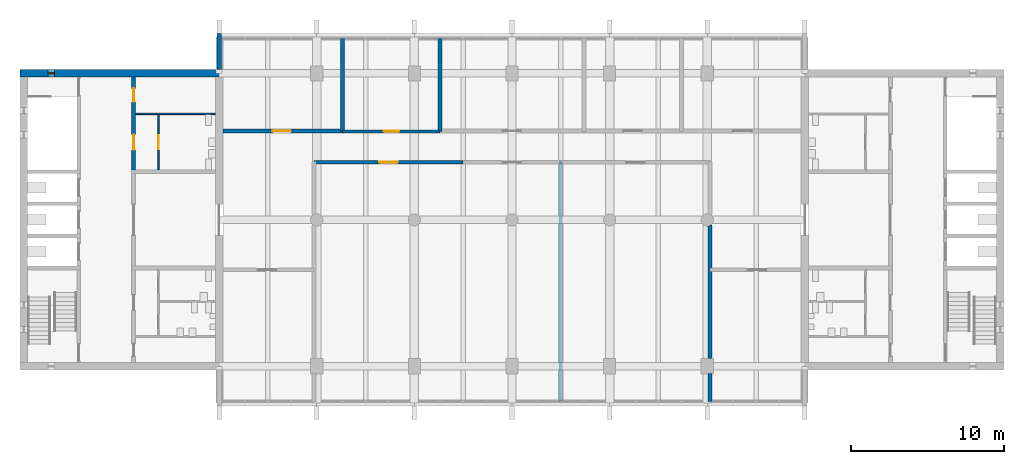
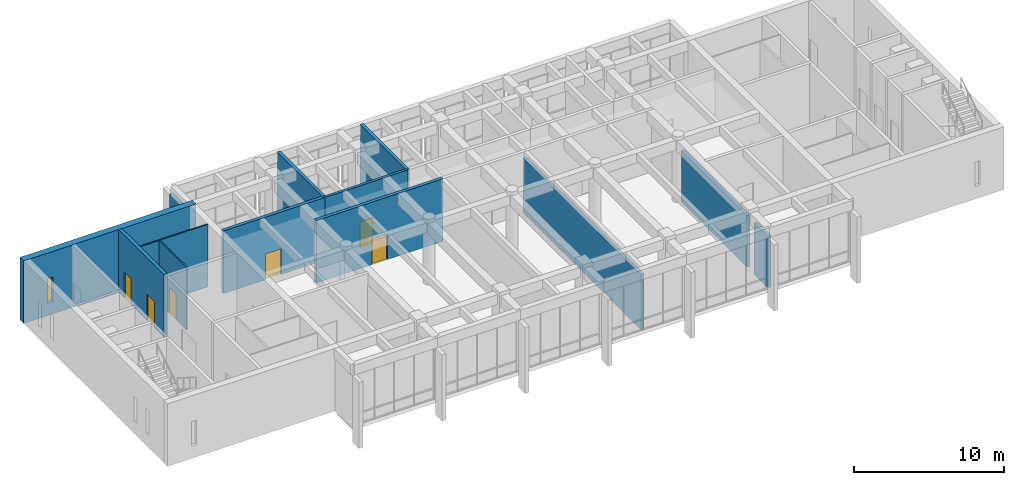
# One storey, part 4 of 10: 13 walls, 6 doors, 1 window, 7 openings.
"""IFC4 building model written with IfcOpenShell, lengths in metres."""

from ifc_helpers import new_model, si_unit, direction, frame, frame_2d, origin, place, context, subcontext, project, spatial, rectangle, extrude, material, layer, layer_set, type_object, element, fill, save


model = new_model("IFC4")

# Units and contexts
model_context = context("Model", 3, precision=1e-05, world=origin(), true_north=direction((0.0, 1.0)))
body_context = subcontext(model_context, "Body", "Model", "MODEL_VIEW")
ifc_project = project(units=[si_unit("LENGTHUNIT", "METRE"), si_unit("AREAUNIT", "SQUARE_METRE"), si_unit("VOLUMEUNIT", "CUBIC_METRE"), si_unit("PLANEANGLEUNIT", "RADIAN"), si_unit("MASSUNIT", "GRAM", prefix="KILO")], contexts=[model_context])

# Site, building, storey
site_placement = place(None, origin())
site = spatial("IfcSite", under=ifc_project, at=site_placement, CompositionType="ELEMENT")
building_placement = place(site_placement, origin())
building = spatial("IfcBuilding", under=site, at=building_placement, Name="Fogon Plaza Fire Station and Headquarters Tower", CompositionType="ELEMENT")
storey_placement = place(building_placement, frame((0.0, 0.0, 64.199951171875)))
storey = spatial("IfcBuildingStorey", under=building, at=storey_placement, Name="L16", CompositionType="ELEMENT", Elevation=64.199951171875)

# Wall, openings, doors
ifc_material_1 = material(Name="Concrete C40", Category="concrete")
ifc_layer_1 = layer(ifc_material_1, 0.25)
ifc_layer_set_1 = layer_set([ifc_layer_1], Name="Concrete C40")
wall_type_1 = type_object("IfcWallType", Name="Core Wall RC 250", PredefinedType="SOLIDWALL", material=ifc_layer_set_1)
wall_1_placement = place(storey_placement, frame((20.0, 46.47509765625, 0.0), z_axis=(0.0, 0.0, 1.0), x_axis=(0.0, 1.0, 0.0)))
wall_1 = element("IfcWall", 1, at=wall_1_placement, inside=storey, type_object=wall_type_1, Name="Core A shaft wall", PredefinedType="SOLIDWALL", context=body_context, shape_type="SweptSolid", body=[
    extrude(rectangle(XDim=6.074951171875, YDim=0.25, at=frame_2d((3.03759765625, 0.0))), origin(), (0.0, 0.0, 1.0), 5.10009765625),
])
opening_1_placement = place(wall_1_placement, frame((1.3125, 0.0, 0.0)))
opening_1 = element("IfcOpeningElement", 2, at=opening_1_placement, cuts=wall_1, Name="Opening L16-D13", PredefinedType="OPENING", context=body_context, shape_type="SweptSolid", body=[
    extrude(rectangle(XDim=1.0, YDim=2.10009765625, at=frame_2d((0.5, 1.050048828125))), frame((0.0, 0.135009765625, 0.0), z_axis=(0.0, -1.0, 0.0), x_axis=(1.0, 0.0, 0.0)), (0.0, 0.0, 1.0), 0.27001953125),
])
opening_2_placement = place(wall_1_placement, frame((4.449951171875, 0.0, 0.0)))
opening_2 = element("IfcOpeningElement", 3, at=opening_2_placement, cuts=wall_1, Name="Opening L16-D15", PredefinedType="OPENING", context=body_context, shape_type="SweptSolid", body=[
    extrude(rectangle(XDim=0.89990234375, YDim=2.10009765625, at=frame_2d((0.449951171875, 1.050048828125))), frame((0.0, 0.135009765625, 0.0), z_axis=(0.0, -1.0, 0.0), x_axis=(1.0, 0.0, 0.0)), (0.0, 0.0, 1.0), 0.27001953125),
])
ifc_material_2 = material(Name="Steel Fire Door Leaf", Category="steel")
door_type_1 = type_object("IfcDoorType", Name="Riser Single 900x2100", OperationType="SINGLE_SWING_LEFT", PredefinedType="DOOR", material=ifc_material_2)
door_1_placement = place(opening_2_placement, frame((0.89990234375, 0.0, 0.0), z_axis=(0.0, 0.0, 1.0), x_axis=(-1.0, 0.0, 0.0)))
door_1 = element("IfcDoor", 4, at=door_1_placement, inside=storey, type_object=door_type_1, Name="Riser room A door", OperationType="SINGLE_SWING_RIGHT", OverallHeight=2.10009765625, OverallWidth=0.89990234375, PredefinedType="DOOR", context=body_context, shape_type="SweptSolid", body=[
    extrude(rectangle(XDim=0.89990234375, YDim=2.10009765625, at=frame_2d((0.449951171875, 1.050048828125))), frame((0.0, 0.02490234375, 0.0), z_axis=(0.0, -1.0, 0.0), x_axis=(1.0, 0.0, 0.0)), (0.0, 0.0, 1.0), 0.050048828125),
])
fill(opening_2, door_1)
ifc_material_3 = material(Name="Timber fire door", Category="wood")
door_type_2 = type_object("IfcDoorType", Name="WC Lobby Single 1000x2100", OperationType="SINGLE_SWING_LEFT", PredefinedType="DOOR", material=ifc_material_3)
door_2_placement = place(opening_1_placement, frame((1.0, 0.0, 0.0), z_axis=(0.0, 0.0, 1.0), x_axis=(-1.0, 0.0, 0.0)))
door_2 = element("IfcDoor", 5, at=door_2_placement, inside=storey, type_object=door_type_2, Name="Women's WC lobby A door", OperationType="SINGLE_SWING_RIGHT", OverallHeight=2.10009765625, OverallWidth=1.0, PredefinedType="DOOR", context=body_context, shape_type="SweptSolid", body=[
    extrude(rectangle(XDim=1.0, YDim=2.10009765625, at=frame_2d((0.5, 1.050048828125))), frame((0.0, 0.02490234375, 0.0), z_axis=(0.0, -1.0, 0.0), x_axis=(1.0, 0.0, 0.0)), (0.0, 0.0, 1.0), 0.050048828125),
])
fill(opening_1, door_2)

# Wall
ifc_material_4 = material(Name="Concrete C40", Category="concrete")
ifc_layer_2 = layer(ifc_material_4, 0.300048828125)
ifc_layer_set_2 = layer_set([ifc_layer_2], Name="Concrete C40")
wall_type_2 = type_object("IfcWallType", Name="Fair-faced RC Return Panel 300", PredefinedType="SOLIDWALL", material=ifc_layer_set_2)
wall_2_placement = place(storey_placement, frame((25.60009765625, 53.050048828125, 0.0), z_axis=(0.0, 0.0, 1.0), x_axis=(0.0, 1.0, 0.0)))
element("IfcWall", 6, at=wall_2_placement, inside=storey, type_object=wall_type_2, Name="Bar end return WN L16", PredefinedType="SOLIDWALL", context=body_context, shape_type="SweptSolid", body=[
    extrude(rectangle(XDim=2.349853515625, YDim=0.300048828125, at=frame_2d((1.1748046875, 0.0))), origin(), (0.0, 0.0, 1.0), 4.300048828125),
])

# Wall, opening, door
ifc_material_5 = material(Name="Blockwork", Category="masonry")
ifc_layer_3 = layer(ifc_material_5, 0.10009765625)
ifc_layer_set_3 = layer_set([ifc_layer_3], Name="Blockwork")
wall_type_3 = type_object("IfcWallType", Name="Partition Blockwork 100", PredefinedType="PARTITIONING", material=ifc_layer_set_3)
wall_3_placement = place(storey_placement, frame((21.625, 46.47509765625, 0.0), z_axis=(0.0, 0.0, 1.0), x_axis=(0.0, 1.0, 0.0)))
wall_3 = element("IfcWall", 7, at=wall_3_placement, inside=storey, type_object=wall_type_3, Name="WC block partition", PredefinedType="PARTITIONING", context=body_context, shape_type="SweptSolid", body=[
    extrude(rectangle(XDim=3.625, YDim=0.10009765625, at=frame_2d((1.8125, 0.0))), origin(), (0.0, 0.0, 1.0), 5.10009765625),
])
opening_3_placement = place(wall_3_placement, frame((1.362548828125, 0.0, 0.0)))
opening_3 = element("IfcOpeningElement", 8, at=opening_3_placement, cuts=wall_3, Name="Opening L16-D14", PredefinedType="OPENING", context=body_context, shape_type="SweptSolid", body=[
    extrude(rectangle(XDim=0.89990234375, YDim=2.10009765625, at=frame_2d((0.449951171875, 1.050048828125))), frame((0.0, 0.06005859375, 0.0), z_axis=(0.0, -1.0, 0.0), x_axis=(1.0, 0.0, 0.0)), (0.0, 0.0, 1.0), 0.1201171875),
])
ifc_material_6 = material(Name="Timber Door Leaf", Category="wood")
door_type_3 = type_object("IfcDoorType", Name="WC Single 900x2100", OperationType="SINGLE_SWING_LEFT", PredefinedType="DOOR", material=ifc_material_6)
door_3_placement = place(opening_3_placement, frame((0.89990234375, 0.0, 0.0), z_axis=(0.0, 0.0, 1.0), x_axis=(-1.0, 0.0, 0.0)))
door_3 = element("IfcDoor", 9, at=door_3_placement, inside=storey, type_object=door_type_3, Name="Women's WC A door", OperationType="SINGLE_SWING_LEFT", OverallHeight=2.10009765625, OverallWidth=0.89990234375, PredefinedType="DOOR", context=body_context, shape_type="SweptSolid", body=[
    extrude(rectangle(XDim=0.89990234375, YDim=2.10009765625, at=frame_2d((0.449951171875, 1.050048828125))), frame((0.0, 0.02490234375, 0.0), z_axis=(0.0, -1.0, 0.0), x_axis=(1.0, 0.0, 0.0)), (0.0, 0.0, 1.0), 0.050048828125),
])
fill(opening_3, door_3)

# Wall
ifc_material_7 = material(Name="Blockwork", Category="masonry")
ifc_layer_4 = layer(ifc_material_7, 0.10009765625)
ifc_layer_set_4 = layer_set([ifc_layer_4], Name="Blockwork")
wall_type_4 = type_object("IfcWallType", Name="Riser Partition Blockwork 100", PredefinedType="PARTITIONING", material=ifc_layer_set_4)
wall_4_placement = place(storey_placement, frame((20.125, 50.14990234375, 0.0), z_axis=(0.0, 0.0, 1.0), x_axis=(1.0, 0.0, 0.0)))
element("IfcWall", 10, at=wall_4_placement, inside=storey, type_object=wall_type_4, Name="Riser room partition", PredefinedType="PARTITIONING", context=body_context, shape_type="SweptSolid", body=[
    extrude(rectangle(XDim=5.22509765625, YDim=0.10009765625, at=frame_2d((2.612548828125, 0.0))), origin(), (0.0, 0.0, 1.0), 5.10009765625),
])

# Wall, opening, window
ifc_material_8 = material(Name="Concrete C40", Category="concrete")
ifc_layer_5 = layer(ifc_material_8, 0.5)
ifc_layer_set_5 = layer_set([ifc_layer_5], Name="Concrete C40")
wall_type_5 = type_object("IfcWallType", Name="Shear wall 500 SW50", PredefinedType="SHEAR", material=ifc_layer_set_5)
wall_5_placement = place(storey_placement, frame((12.550048828125, 52.800048828125, 0.0), z_axis=(0.0, 0.0, 1.0), x_axis=(1.0, 0.0, 0.0)))
wall_5 = element("IfcWall", 11, at=wall_5_placement, inside=storey, type_object=wall_type_5, Name="wall-coreA-N-L16", PredefinedType="SHEAR", context=body_context, shape_type="SweptSolid", body=[
    extrude(rectangle(XDim=13.300048828125, YDim=0.5, at=frame_2d((6.64990234375, 0.0))), origin(), (0.0, 0.0, 1.0), 5.10009765625),
])
opening_4_placement = place(wall_5_placement, frame((1.85009765625, 0.0, 1.0)))
opening_4 = element("IfcOpeningElement", 12, at=opening_4_placement, cuts=wall_5, Name="Opening WS1", PredefinedType="OPENING", context=body_context, shape_type="SweptSolid", body=[
    extrude(rectangle(XDim=0.39990234375, YDim=2.0, at=frame_2d((0.199951171875, 1.0))), frame((0.0, 0.260009765625, 0.0), z_axis=(0.0, -1.0, 0.0), x_axis=(1.0, 0.0, 0.0)), (0.0, 0.0, 1.0), 0.52001953125),
])
ifc_material_9 = material(Name="Aluminium framed double glazing", Category="aluminium")
window_type = type_object("IfcWindowType", Name="Slit Window WS1 400x2000", PartitioningType="SINGLE_PANEL", PredefinedType="WINDOW", material=ifc_material_9)
window_placement = place(opening_4_placement, origin())
window = element("IfcWindow", 13, at=window_placement, inside=storey, type_object=window_type, Name="Slit window A6 L16", OverallHeight=2.0, OverallWidth=0.39990234375, PartitioningType="SINGLE_PANEL", PredefinedType="WINDOW", context=body_context, shape_type="SweptSolid", body=[
    extrude(rectangle(XDim=0.39990234375, YDim=2.0, at=frame_2d((0.199951171875, 1.0))), frame((0.0, 0.030029296875, 0.0), z_axis=(0.0, -1.0, 0.0), x_axis=(1.0, 0.0, 0.0)), (0.0, 0.0, 1.0), 0.06005859375),
])
fill(opening_4, window)

# Wall, opening, door
ifc_material_10 = material(Name="Concrete block masonry", Category="masonry")
ifc_layer_6 = layer(ifc_material_10, 0.199951171875)
ifc_layer_set_6 = layer_set([ifc_layer_6], Name="Concrete block masonry")
wall_type_6 = type_object("IfcWallType", Name="Tower compartment wall 200 EI 120", PredefinedType="PARTITIONING", material=ifc_layer_set_6)
wall_6_placement = place(storey_placement, frame((33.68994140625, 49.0, 0.0), z_axis=(0.0, 0.0, 1.0), x_axis=(1.0, 0.0, 0.0)))
wall_6 = element("IfcWall", 14, at=wall_6_placement, inside=storey, type_object=wall_type_6, Name="part-L16-07", PredefinedType="PARTITIONING", context=body_context, shape_type="SweptSolid", body=[
    extrude(rectangle(XDim=6.400146484375, YDim=0.199951171875, at=frame_2d((3.2001953125, 0.0))), origin(), (0.0, 0.0, 1.0), 5.10009765625),
])
opening_5_placement = place(wall_6_placement, frame((2.7099609375, 0.0, 0.0)))
opening_5 = element("IfcOpeningElement", 15, at=opening_5_placement, cuts=wall_6, Name="Opening L16-D35", PredefinedType="OPENING", context=body_context, shape_type="SweptSolid", body=[
    extrude(rectangle(XDim=1.0, YDim=2.10009765625, at=frame_2d((0.5, 1.050048828125))), frame((0.0, 0.10986328125, 0.0), z_axis=(0.0, -1.0, 0.0), x_axis=(1.0, 0.0, 0.0)), (0.0, 0.0, 1.0), 0.219970703125),
])
ifc_material_11 = material(Name="Steel fire door", Category="steel")
door_type_4 = type_object("IfcDoorType", Name="Tower compartment door single 1000 EI 90", OperationType="SINGLE_SWING_LEFT", PredefinedType="DOOR", material=ifc_material_11)
door_4_placement = place(opening_5_placement, origin())
door_4 = element("IfcDoor", 16, at=door_4_placement, inside=storey, type_object=door_type_4, Name="door-L16-05", OperationType="SINGLE_SWING_LEFT", OverallHeight=2.10009765625, OverallWidth=1.0, PredefinedType="DOOR", context=body_context, shape_type="SweptSolid", body=[
    extrude(rectangle(XDim=1.0, YDim=2.10009765625, at=frame_2d((0.5, 1.050048828125))), frame((0.0, 0.02490234375, 0.0), z_axis=(0.0, -1.0, 0.0), x_axis=(1.0, 0.0, 0.0)), (0.0, 0.0, 1.0), 0.050048828125),
])
fill(opening_5, door_4)

ifc_material_12 = material(Name="Concrete block masonry", Category="masonry")
ifc_layer_7 = layer(ifc_material_12, 0.25)
ifc_layer_set_7 = layer_set([ifc_layer_7], Name="Concrete block masonry")
wall_type_7 = type_object("IfcWallType", Name="Tower plant wall 250 EI 120", PredefinedType="PARTITIONING", material=ifc_layer_set_7)
wall_7_placement = place(storey_placement, frame((31.820068359375, 46.97509765625, 0.0), z_axis=(0.0, 0.0, 1.0), x_axis=(1.0, 0.0, 0.0)))
wall_7 = element("IfcWall", 17, at=wall_7_placement, inside=storey, type_object=wall_type_7, Name="part-L16-01", PredefinedType="PARTITIONING", context=body_context, shape_type="SweptSolid", body=[
    extrude(rectangle(XDim=9.780029296875, YDim=0.25, at=frame_2d((4.89013671875, 0.0))), origin(), (0.0, 0.0, 1.0), 5.10009765625),
])
opening_6_placement = place(wall_7_placement, frame((4.280029296875, 0.0, 0.0)))
opening_6 = element("IfcOpeningElement", 18, at=opening_6_placement, cuts=wall_7, Name="Opening L16-D31", PredefinedType="OPENING", context=body_context, shape_type="SweptSolid", body=[
    extrude(rectangle(XDim=1.199951171875, YDim=2.10009765625, at=frame_2d((0.60009765625, 1.050048828125))), frame((0.0, 0.135009765625, 0.0), z_axis=(0.0, -1.0, 0.0), x_axis=(1.0, 0.0, 0.0)), (0.0, 0.0, 1.0), 0.27001953125),
])
ifc_material_13 = material(Name="Steel fire door", Category="steel")
door_type_5 = type_object("IfcDoorType", Name="Tower plant door double 1200 EI 90", OperationType="DOUBLE_DOOR_SINGLE_SWING", PredefinedType="DOOR", material=ifc_material_13)
door_5_placement = place(opening_6_placement, frame((1.199951171875, 0.0, 0.0), z_axis=(0.0, 0.0, 1.0), x_axis=(-1.0, 0.0, 0.0)))
door_5 = element("IfcDoor", 19, at=door_5_placement, inside=storey, type_object=door_type_5, Name="door-L16-01", OperationType="DOUBLE_DOOR_SINGLE_SWING", OverallHeight=2.10009765625, OverallWidth=1.199951171875, PredefinedType="DOOR", context=body_context, shape_type="SweptSolid", body=[
    extrude(rectangle(XDim=1.199951171875, YDim=2.10009765625, at=frame_2d((0.60009765625, 1.050048828125))), frame((0.0, 0.02490234375, 0.0), z_axis=(0.0, -1.0, 0.0), x_axis=(1.0, 0.0, 0.0)), (0.0, 0.0, 1.0), 0.050048828125),
])
fill(opening_6, door_5)

wall_8_placement = place(storey_placement, frame((25.85009765625, 49.02490234375, 0.0), z_axis=(0.0, 0.0, 1.0), x_axis=(1.0, 0.0, 0.0)))
wall_8 = element("IfcWall", 20, at=wall_8_placement, inside=storey, type_object=wall_type_7, Name="part-L16-06", PredefinedType="PARTITIONING", context=body_context, shape_type="SweptSolid", body=[
    extrude(rectangle(XDim=7.83984375, YDim=0.25, at=frame_2d((3.919921875, 0.0))), origin(), (0.0, 0.0, 1.0), 5.10009765625),
])
opening_7_placement = place(wall_8_placement, frame((3.25, 0.0, 0.0)))
opening_7 = element("IfcOpeningElement", 21, at=opening_7_placement, cuts=wall_8, Name="Opening L16-D34", PredefinedType="OPENING", context=body_context, shape_type="SweptSolid", body=[
    extrude(rectangle(XDim=1.199951171875, YDim=2.10009765625, at=frame_2d((0.60009765625, 1.050048828125))), frame((0.0, 0.135009765625, 0.0), z_axis=(0.0, -1.0, 0.0), x_axis=(1.0, 0.0, 0.0)), (0.0, 0.0, 1.0), 0.27001953125),
])
door_6_placement = place(opening_7_placement, origin())
door_6 = element("IfcDoor", 22, at=door_6_placement, inside=storey, type_object=door_type_5, Name="door-L16-04", OperationType="DOUBLE_DOOR_SINGLE_SWING", OverallHeight=2.10009765625, OverallWidth=1.199951171875, PredefinedType="DOOR", context=body_context, shape_type="SweptSolid", body=[
    extrude(rectangle(XDim=1.199951171875, YDim=2.10009765625, at=frame_2d((0.60009765625, 1.050048828125))), frame((0.0, 0.02490234375, 0.0), z_axis=(0.0, -1.0, 0.0), x_axis=(1.0, 0.0, 0.0)), (0.0, 0.0, 1.0), 0.050048828125),
])
fill(opening_7, door_6)

# Walls
for number, where, z_axis, x_axis, name in (
    (23, (33.68994140625, 48.97509765625, 0.0), (0.0, 0.0, 1.0), (0.0, 1.0, 0.0), "part-L16-11"),
    (24, (40.090087890625, 48.97509765625, 0.0), (0.0, 0.0, 1.0), (0.0, 1.0, 0.0), "part-L16-12"),
):
    element("IfcWall", number, at=place(storey_placement, frame(where, z_axis=z_axis, x_axis=x_axis)), inside=storey, type_object=wall_type_7, Name=name, PredefinedType="PARTITIONING", context=body_context, shape_type="SweptSolid", body=[
        extrude(rectangle(XDim=6.125, YDim=0.25, at=frame_2d((3.0625, 0.0))), origin(), (0.0, 0.0, 1.0), 5.10009765625),
    ])
ifc_material_14 = material(Name="Concrete block masonry", Category="masonry")
ifc_layer_8 = layer(ifc_material_14, 0.25)
ifc_layer_set_8 = layer_set([ifc_layer_8], Name="Concrete block masonry")
wall_type_8 = type_object("IfcWallType", Name="Tower plant wall 250 EI 120 Beam Head 600", PredefinedType="PARTITIONING", material=ifc_layer_set_8)
wall_9_placement = place(storey_placement, frame((48.0, 31.300048828125, 0.0), z_axis=(0.0, 0.0, 1.0), x_axis=(0.0, 1.0, 0.0)))
element("IfcWall", 25, at=wall_9_placement, inside=storey, type_object=wall_type_8, Name="part-L16-05", PredefinedType="PARTITIONING", context=body_context, shape_type="SweptSolid", body=[
    extrude(rectangle(XDim=15.724853515625, YDim=0.25, at=frame_2d((7.8623046875, 0.0))), origin(), (0.0, 0.0, 1.0), 4.5),
])
ifc_material_15 = material(Name="Concrete block masonry", Category="masonry")
ifc_layer_9 = layer(ifc_material_15, 0.25)
ifc_layer_set_9 = layer_set([ifc_layer_9], Name="Concrete block masonry")
wall_type_9 = type_object("IfcWallType", Name="Tower plant wall 250 EI 120 Beam Head 900", PredefinedType="PARTITIONING", material=ifc_layer_set_9)
wall_10_placement = place(storey_placement, frame((57.780029296875, 31.300048828125, 0.0), z_axis=(0.0, 0.0, 1.0), x_axis=(0.0, 1.0, 0.0)))
element("IfcWall", 26, at=wall_10_placement, inside=storey, type_object=wall_type_9, Name="part-L16-20", PredefinedType="PARTITIONING", context=body_context, shape_type="SweptSolid", body=[
    extrude(rectangle(XDim=1.820068359375, YDim=0.25, at=frame_2d((0.91015625, 0.0))), origin(), (0.0, 0.0, 1.0), 4.199951171875),
])
wall_11_placement = place(storey_placement, frame((57.780029296875, 34.080078125, 0.0), z_axis=(0.0, 0.0, 1.0), x_axis=(0.0, 1.0, 0.0)))
element("IfcWall", 27, at=wall_11_placement, inside=storey, type_object=wall_type_9, Name="part-L16-21", PredefinedType="PARTITIONING", context=body_context, shape_type="SweptSolid", body=[
    extrude(rectangle(XDim=8.78271484375, YDim=0.25, at=frame_2d((4.391357421875, 0.0))), origin(), (0.0, 0.0, 1.0), 4.199951171875),
])

save(model, "model.ifc")
